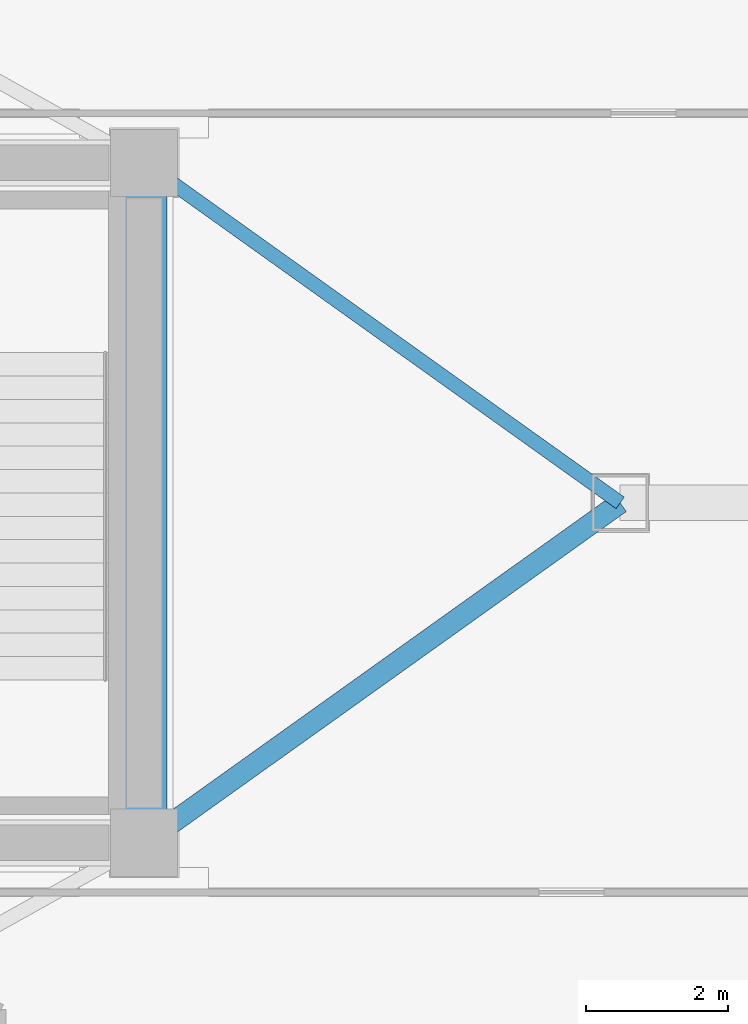
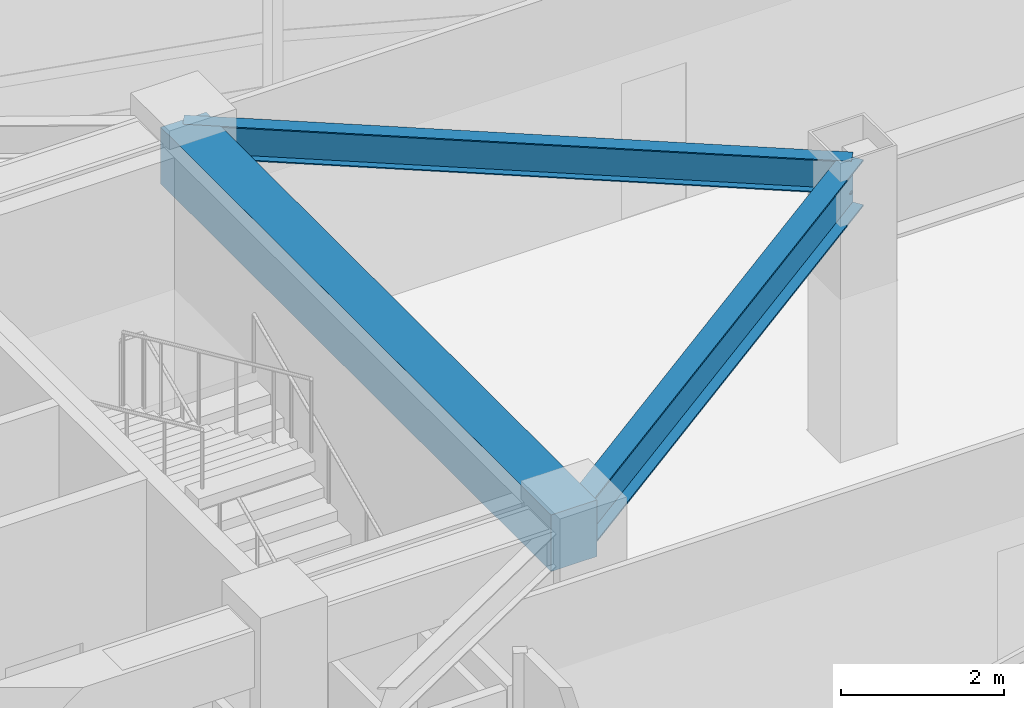
# One storey, part 7 of 17: 3 beams.
"""IFC4 building model written with IfcOpenShell, lengths in metres."""

import ifcopenshell
import ifcopenshell.guid

model = None  # the IFC model being written
_history = None  # IfcOwnerHistory: only IFC2X3 demands one
_inside = {}  # id of a spatial element -> (the spatial element, [elements in it])
_under = {}  # id of a project, library or spatial element -> (it, [spatial elements below it])
_declared = {}  # id of a project -> (the project, [libraries it declares])
_typed = {}  # id of a type object -> (the type object, [elements of that type])
_made_of = {}  # id of a material, layer set ... -> (it, [elements and type objects made of it])


def new_model(schema):
    """Start an empty IFC model of exactly this schema.

    Asked for "IFC4X3", IfcOpenShell would pick the latest addendum, in which some entities
    have other attributes; the version numbers below select the first issue.
    IFC2X3 requires an IfcOwnerHistory on every rooted entity: one is made here for all.
    """
    global model, _history
    if schema == "IFC4X3":
        model = ifcopenshell.file(schema_version=(4, 3, 0, 0))
    else:
        model = ifcopenshell.file(schema=schema)
    _inside.clear()
    _under.clear()
    _declared.clear()
    _typed.clear()
    _made_of.clear()
    _history = None
    if model.schema == "IFC2X3":
        org = make("IfcOrganization", Name="unknown")
        user = make(
            "IfcPersonAndOrganization",
            ThePerson=make("IfcPerson", FamilyName="unknown"),
            TheOrganization=org,
        )
        app = make(
            "IfcApplication",
            ApplicationDeveloper=org,
            Version="unknown",
            ApplicationFullName="unknown",
            ApplicationIdentifier="unknown",
        )
        _history = make(
            "IfcOwnerHistory",
            OwningUser=user,
            OwningApplication=app,
            ChangeAction="ADDED",
            CreationDate=0,
        )
    return model


def make(cls, **values):
    """One entity of the class cls with the attributes given. An attribute that is None is left unset."""
    return model.create_entity(
        cls, **{name: value for name, value in values.items() if value is not None}
    )


def rooted(cls, **values):
    """An entity with a GlobalId (a new one), such as an element, a storey or a relation."""
    return make(cls, GlobalId=ifcopenshell.guid.new(), OwnerHistory=_history, **values)


def si_unit(unit_type, name, prefix=None):
    """IfcSIUnit, for example si_unit("LENGTHUNIT", "METRE", prefix="MILLI")."""
    return make("IfcSIUnit", UnitType=unit_type, Prefix=prefix, Name=name)


def assignment(units):
    """IfcUnitAssignment: the units of a project."""
    return None if units is None else make("IfcUnitAssignment", Units=units)


def point(xyz):
    """IfcCartesianPoint."""
    return None if xyz is None else make("IfcCartesianPoint", Coordinates=xyz)


def direction(xyz):
    """IfcDirection."""
    return None if xyz is None else make("IfcDirection", DirectionRatios=xyz)


def frame(location, z_axis=None, x_axis=None):
    """IfcAxis2Placement3D, a coordinate frame: its origin and axes. An axis left out is left unset."""
    return make(
        "IfcAxis2Placement3D",
        Location=point(location),
        Axis=direction(z_axis),
        RefDirection=direction(x_axis),
    )


def frame_2d(location, x_axis=None):
    """IfcAxis2Placement2D, a coordinate frame in the plane: its origin and x axis."""
    return make(
        "IfcAxis2Placement2D", Location=point(location), RefDirection=direction(x_axis)
    )


def origin():
    """The frame at (0, 0, 0) with its axes left unset."""
    return frame((0.0, 0.0, 0.0))


def origin_2d():
    """The frame at (0, 0) in the plane with its x axis left unset."""
    return frame_2d((0.0, 0.0))


def place(relative_to, where):
    """IfcLocalPlacement: puts the frame where relative to a parent placement (None: the world)."""
    return make(
        "IfcLocalPlacement", PlacementRelTo=relative_to, RelativePlacement=where
    )


def context(
    kind, dimensions, precision=None, world=None, true_north=None, identifier=None
):
    """IfcGeometricRepresentationContext, for example the 3D "Model" context."""
    return make(
        "IfcGeometricRepresentationContext",
        ContextIdentifier=identifier,
        ContextType=kind,
        CoordinateSpaceDimension=dimensions,
        Precision=precision,
        WorldCoordinateSystem=world,
        TrueNorth=true_north,
    )


def subcontext(parent, identifier, kind, view, scale=None):
    """IfcGeometricRepresentationSubContext, for example "Body" below "Model"."""
    return make(
        "IfcGeometricRepresentationSubContext",
        ContextIdentifier=identifier,
        ContextType=kind,
        ParentContext=parent,
        TargetScale=scale,
        TargetView=view,
    )


def project(units=None, contexts=None):
    """IfcProject with its units and contexts."""
    return rooted(
        "IfcProject",
        Name="project",
        RepresentationContexts=contexts,
        UnitsInContext=assignment(units),
    )


def spatial(cls, under=None, at=None, **own):
    """A site, building, storey or space (cls), placed at a placement, below another one or the project."""
    s = rooted(cls, ObjectPlacement=at, **own)
    if under is not None:
        _under.setdefault(under.id(), (under, []))[1].append(s)
    return s


def profile(cls, at=None, kind="AREA", **sizes):
    """A parametric profile (cls). Its sizes go by their IFC names, for example OverallWidth=200.0."""
    return make(cls, ProfileType=kind, Position=at, **sizes)


def rectangle(**sizes):
    """IfcRectangleProfileDef."""
    return profile("IfcRectangleProfileDef", **sizes)


def i_section(**sizes):
    """IfcIShapeProfileDef."""
    return profile("IfcIShapeProfileDef", **sizes)


def extrude(swept, where, along, depth):
    """IfcExtrudedAreaSolid: the profile swept, set in the frame where, extruded along a direction by depth."""
    return make(
        "IfcExtrudedAreaSolid",
        SweptArea=swept,
        Position=where,
        ExtrudedDirection=direction(along),
        Depth=depth,
    )


def shape(context_of_items, identifier, shape_type, items):
    """IfcShapeRepresentation: the items that make up one representation, for example the "Body"."""
    return make(
        "IfcShapeRepresentation",
        ContextOfItems=context_of_items,
        RepresentationIdentifier=identifier,
        RepresentationType=shape_type,
        Items=items,
    )


def material(Name=None, Category=None):
    """IfcMaterial."""
    return make("IfcMaterial", Name=Name, Category=Category)


def material_profile(
    of_material, cross_section, Name=None, Category=None, Priority=None
):
    """IfcMaterialProfile: a cross section and its material."""
    return make(
        "IfcMaterialProfile",
        Name=Name,
        Material=of_material,
        Profile=cross_section,
        Priority=Priority,
        Category=Category,
    )


def profile_set(profiles, Name=None, composite=None):
    """IfcMaterialProfileSet."""
    return make(
        "IfcMaterialProfileSet",
        Name=Name,
        MaterialProfiles=profiles,
        CompositeProfile=composite,
    )


def made_of(thing, what):
    """Note that an element or type object is made of a material, layer set ...; save() writes the relation."""
    if what is not None:
        _made_of.setdefault(what.id(), (what, []))[1].append(thing)
    return thing


def type_object(cls, material=None, **own):
    """A type object (cls), such as IfcWallType, which elements share."""
    return made_of(rooted(cls, **own), material)


def element(
    cls,
    number,
    at=None,
    inside=None,
    cuts=None,
    type_object=None,
    material=None,
    context=None,
    identifier="Body",
    shape_type=None,
    held_by="IfcProductDefinitionShape",
    body=None,
    shapes=None,
    **own,
):
    """One element of the class cls, such as IfcWall. Its Tag is "e" and its number.

    at: its placement. inside: the storey or other place that contains it. cuts: it is an
    opening in that element (IfcRelVoidsElement). A single representation is given by context,
    identifier, shape_type and body (its items); several are given by shapes. held_by: the class
    of the entity that holds the representations. save() writes the other relations.
    """
    e = rooted(cls, Tag="e%d" % number, ObjectPlacement=at, **own)
    if body is not None:
        shapes = [shape(context, identifier, shape_type, body)]
    if shapes is not None:
        e.Representation = make(held_by, Representations=shapes)
    if inside is not None:
        _inside.setdefault(inside.id(), (inside, []))[1].append(e)
    if cuts is not None:
        rooted(
            "IfcRelVoidsElement", RelatingBuildingElement=cuts, RelatedOpeningElement=e
        )
    if type_object is not None:
        _typed.setdefault(type_object.id(), (type_object, []))[1].append(e)
    return made_of(e, material)


def aggregate(whole, parts):
    """IfcRelAggregates: a whole, such as a stair, and the parts it consists of."""
    return rooted("IfcRelAggregates", RelatingObject=whole, RelatedObjects=parts)


def save(model, path):
    """Write the relations noted so far, then the file.

    IfcRelAggregates (storeys below a building ...), IfcRelContainedInSpatialStructure (elements
    in a storey), IfcRelDefinesByType, IfcRelAssociatesMaterial and IfcRelDeclares: one each for
    every whole, place, type object, material and project.
    """
    for whole, parts in _under.values():
        aggregate(whole, parts)
    for where, things in _inside.values():
        rooted(
            "IfcRelContainedInSpatialStructure",
            RelatedElements=things,
            RelatingStructure=where,
        )
    for kind, things in _typed.values():
        rooted("IfcRelDefinesByType", RelatedObjects=things, RelatingType=kind)
    for what, things in _made_of.values():
        rooted("IfcRelAssociatesMaterial", RelatedObjects=things, RelatingMaterial=what)
    for by, libraries in _declared.values():
        rooted("IfcRelDeclares", RelatingContext=by, RelatedDefinitions=libraries)
    model.write(path)


model = new_model("IFC4")

# Units and contexts
model_context = context("Model", 3, precision=1e-05, world=origin(), true_north=direction((0.0, 1.0)))
body_context = subcontext(model_context, "Body", "Model", "MODEL_VIEW")
ifc_project = project(units=[si_unit("LENGTHUNIT", "METRE"), si_unit("AREAUNIT", "SQUARE_METRE"), si_unit("VOLUMEUNIT", "CUBIC_METRE"), si_unit("PLANEANGLEUNIT", "RADIAN"), si_unit("MASSUNIT", "GRAM", prefix="KILO")], contexts=[model_context])

# Site, building, storey
site_placement = place(None, origin())
site = spatial("IfcSite", under=ifc_project, at=site_placement, CompositionType="ELEMENT")
building_placement = place(site_placement, origin())
building = spatial("IfcBuilding", under=site, at=building_placement, Name="Menara Vayukalpa", CompositionType="ELEMENT")
storey_placement = place(building_placement, frame((0.0, 0.0, 238.139892578125)))
storey = spatial("IfcBuildingStorey", under=building, at=storey_placement, Name="L60", CompositionType="ELEMENT", Elevation=238.139892578125)

# Beams
ifc_material_1 = material(Name="Concrete C60/75", Category="concrete")
ifc_material_profile_1 = material_profile(ifc_material_1, rectangle(XDim=0.64990234375, YDim=0.85009765625, at=origin_2d()), Name="RC 650x850")
ifc_profile_set_1 = profile_set([ifc_material_profile_1], Name="Concrete C60/75")
beam_type_1 = type_object("IfcBeamType", Name="BM-CB1", PredefinedType="BEAM", material=ifc_profile_set_1)
beam_1_placement = place(storey_placement, frame((33.39990234375, 17.199951171875, 3.795166015625), z_axis=(0.0, 1.0, 0.0), x_axis=(-1.0, 0.0, 0.0)))
element("IfcBeam", 1, at=beam_1_placement, inside=storey, type_object=beam_type_1, Name="L60 Core Tie Beam CBR8", PredefinedType="BEAM", context=body_context, shape_type="SweptSolid", body=[
    extrude(rectangle(XDim=0.64990234375, YDim=0.85009765625, at=origin_2d()), origin(), (0.0, 0.0, 1.0), 9.60009765625),
])
ifc_material_2 = material(Name="Steel S355", Category="steel")
ifc_material_profile_2 = material_profile(ifc_material_2, i_section(OverallWidth=0.300048828125, OverallDepth=0.699951171875, WebThickness=0.012939453125, FlangeThickness=0.02392578125, at=origin_2d()), Name="WF 700x300x13x24")
ifc_profile_set_2 = profile_set([ifc_material_profile_2], Name="Steel S355")
beam_type_2 = type_object("IfcBeamType", Name="BM-PG5", PredefinedType="BEAM", material=ifc_profile_set_2)
beam_2_placement = place(storey_placement, frame((33.603515625, 17.34521484375, 3.8701171875), z_axis=(0.813801429135, 0.581143040859, 0.0), x_axis=(-0.581143040859, 0.813801429135, 0.0)))
element("IfcBeam", 2, at=beam_2_placement, inside=storey, type_object=beam_type_2, Name="L60 Primary Radial Girder RG01", PredefinedType="BEAM", context=body_context, shape_type="SweptSolid", body=[
    extrude(i_section(OverallWidth=0.300048828125, OverallDepth=0.699951171875, WebThickness=0.012939453125, FlangeThickness=0.02392578125, at=origin_2d()), origin(), (0.0, 0.0, 1.0), 8.009765625),
])
ifc_material_3 = material(Name="Steel S355", Category="steel")
ifc_material_profile_3 = material_profile(ifc_material_3, i_section(OverallWidth=0.199951171875, OverallDepth=0.5, WebThickness=0.010009765625, FlangeThickness=0.01611328125, at=origin_2d()), Name="WF 500x200x10x16")
ifc_profile_set_3 = profile_set([ifc_material_profile_3], Name="Steel S355")
beam_type_3 = type_object("IfcBeamType", Name="BM-SP3", PredefinedType="SPANDREL", material=ifc_profile_set_3)
beam_3_placement = place(storey_placement, frame((40.121826171875, 22.0, 3.97021484375), z_axis=(-0.813809355401, 0.581131941181, 0.0), x_axis=(-0.581131941181, -0.813809355401, 0.0)))
element("IfcBeam", 3, at=beam_3_placement, inside=storey, type_object=beam_type_3, Name="L60 Perimeter Spandrel Beam SP01", PredefinedType="SPANDREL", context=body_context, shape_type="SweptSolid", body=[
    extrude(i_section(OverallWidth=0.199951171875, OverallDepth=0.5, WebThickness=0.010009765625, FlangeThickness=0.01611328125, at=origin_2d()), origin(), (0.0, 0.0, 1.0), 8.259765625),
])

save(model, "model.ifc")
